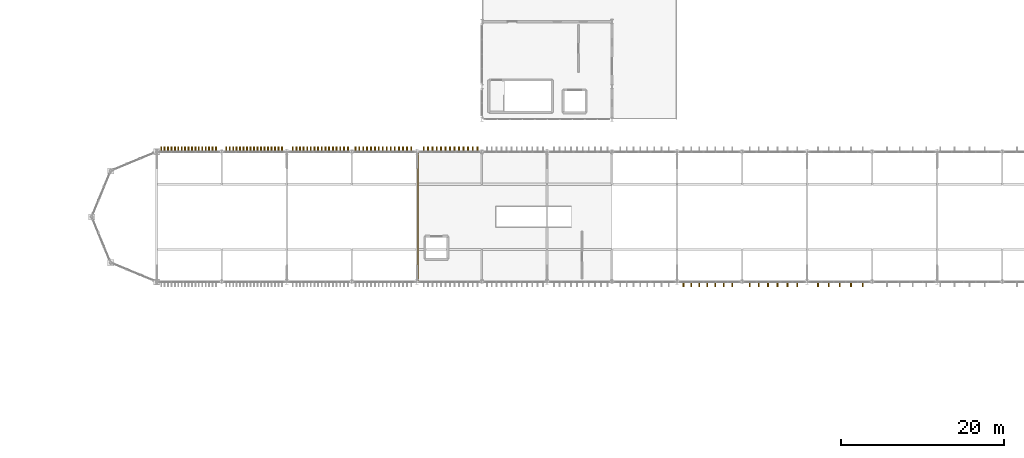
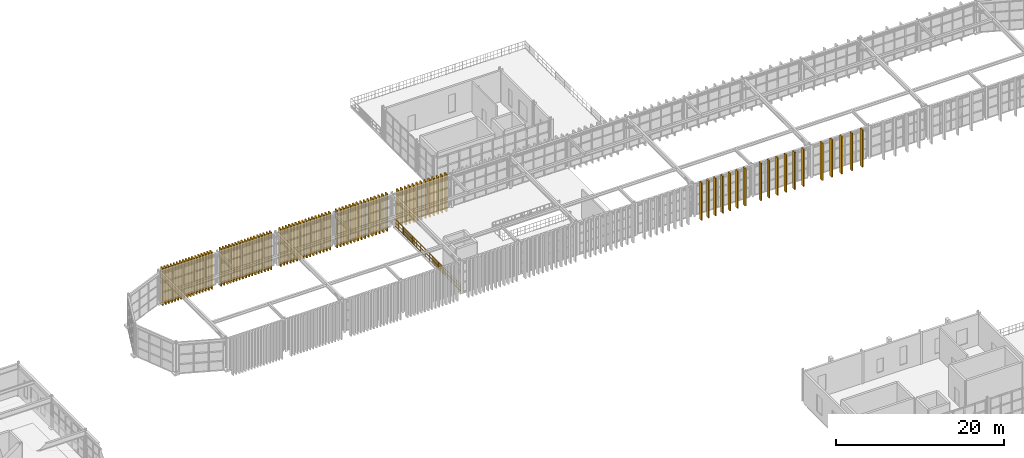
# One storey, part 57 of 61: 96 coverings, 1 railing.
"""IFC4 building model written with IfcOpenShell, lengths in metres."""

from ifc_helpers import new_model, si_unit, direction, frame, origin, origin_2d, place, context, subcontext, project, spatial, rectangle, extrude, material, layer, layer_set, type_object, element, save


model = new_model("IFC4")

# Units and contexts
model_context = context("Model", 3, precision=1e-05, world=origin(), true_north=direction((0.0, 1.0)))
body_context = subcontext(model_context, "Body", "Model", "MODEL_VIEW")
ifc_project = project(units=[si_unit("LENGTHUNIT", "METRE"), si_unit("AREAUNIT", "SQUARE_METRE"), si_unit("VOLUMEUNIT", "CUBIC_METRE"), si_unit("PLANEANGLEUNIT", "RADIAN"), si_unit("MASSUNIT", "GRAM", prefix="KILO")], contexts=[model_context])

# Site, building, storey
site_placement = place(None, origin())
site = spatial("IfcSite", under=ifc_project, at=site_placement, CompositionType="ELEMENT")
building_placement = place(site_placement, origin())
building = spatial("IfcBuilding", under=site, at=building_placement, Name="Serraluz Foothill Cableway Terminal", CompositionType="ELEMENT")
storey_placement = place(building_placement, frame((0.0, 0.0, 15.0)))
storey = spatial("IfcBuildingStorey", under=building, at=storey_placement, Name="L03", CompositionType="ELEMENT", Elevation=15.0)

# Coverings
ifc_material_1 = material(Name="Architectural bronze alloy C28000", Category="aluminium")
ifc_layer_1 = layer(ifc_material_1, 0.159912109375, Name="Architectural bronze alloy C28000", Category="aluminium")
ifc_layer_set_1 = layer_set([ifc_layer_1], Name="Architectural bronze alloy C28000")
covering_type = type_object("IfcCoveringType", Name="TYP-COV-SLAT-480", PredefinedType="CLADDING", material=ifc_layer_set_1)
for number, where, z_axis, x_axis, name in (
    (1, (104.8115234375, 55.639892578125, -0.64990234375), (0.0, 0.0, 1.0), (1.0, 0.0, 0.0), "Graduated Upper Vertical Facade Slat S-0109"),
    (2, (105.75830078125, 55.639892578125, -0.64990234375), (0.0, 0.0, 1.0), (1.0, 0.0, 0.0), "Graduated Upper Vertical Facade Slat S-0110"),
    (3, (106.723876953125, 55.639892578125, -0.64990234375), (0.0, 0.0, 1.0), (1.0, 0.0, 0.0), "Graduated Upper Vertical Facade Slat S-0111"),
    (4, (107.708251953125, 55.639892578125, -0.64990234375), (0.0, 0.0, 1.0), (1.0, 0.0, 0.0), "Graduated Upper Vertical Facade Slat S-0112"),
    (5, (108.712646484375, 55.639892578125, -0.64990234375), (0.0, 0.0, 1.0), (1.0, 0.0, 0.0), "Graduated Upper Vertical Facade Slat S-0113"),
    (6, (109.73779296875, 55.639892578125, -0.64990234375), (0.0, 0.0, 1.0), (1.0, 0.0, 0.0), "Graduated Upper Vertical Facade Slat S-0114"),
    (7, (110.784423828125, 55.639892578125, -0.64990234375), (0.0, 0.0, 1.0), (1.0, 0.0, 0.0), "Graduated Upper Vertical Facade Slat S-0115"),
    (8, (112.9462890625, 55.639892578125, -0.64990234375), (0.0, 0.0, 1.0), (1.0, 0.0, 0.0), "Graduated Upper Vertical Facade Slat S-0116"),
    (9, (114.063232421875, 55.639892578125, -0.64990234375), (0.0, 0.0, 1.0), (1.0, 0.0, 0.0), "Graduated Upper Vertical Facade Slat S-0117"),
    (10, (115.205810546875, 55.639892578125, -0.64990234375), (0.0, 0.0, 1.0), (1.0, 0.0, 0.0), "Graduated Upper Vertical Facade Slat S-0118"),
    (11, (116.375, 55.639892578125, -0.64990234375), (0.0, 0.0, 1.0), (1.0, 0.0, 0.0), "Graduated Upper Vertical Facade Slat S-0119"),
    (12, (117.572265625, 55.639892578125, -0.64990234375), (0.0, 0.0, 1.0), (1.0, 0.0, 0.0), "Graduated Upper Vertical Facade Slat S-0120"),
    (13, (118.79833984375, 55.639892578125, -0.64990234375), (0.0, 0.0, 1.0), (1.0, 0.0, 0.0), "Graduated Upper Vertical Facade Slat S-0121"),
    (14, (121.34375, 55.639892578125, -0.64990234375), (0.0, 0.0, 1.0), (1.0, 0.0, 0.0), "Graduated Upper Vertical Facade Slat S-0122"),
    (15, (122.665771484375, 55.639892578125, -0.64990234375), (0.0, 0.0, 1.0), (1.0, 0.0, 0.0), "Graduated Upper Vertical Facade Slat S-0123"),
    (16, (124.022705078125, 55.639892578125, -0.64990234375), (0.0, 0.0, 1.0), (1.0, 0.0, 0.0), "Graduated Upper Vertical Facade Slat S-0124"),
    (17, (125.41650390625, 55.639892578125, -0.64990234375), (0.0, 0.0, 1.0), (1.0, 0.0, 0.0), "Graduated Upper Vertical Facade Slat S-0125"),
    (18, (126.84912109375, 55.639892578125, -0.64990234375), (0.0, 0.0, 1.0), (1.0, 0.0, 0.0), "Graduated Upper Vertical Facade Slat S-0126"),
    (19, (40.550048828125, 72.360107421875, -0.64990234375), (0.0, 0.0, 1.0), (1.0, 0.0, 0.0), "Graduated Upper Vertical Facade Slat N-0138"),
    (20, (40.969970703125, 72.360107421875, -0.64990234375), (0.0, 0.0, 1.0), (1.0, 0.0, 0.0), "Graduated Upper Vertical Facade Slat N-0139"),
    (21, (41.389892578125, 72.360107421875, -0.64990234375), (0.0, 0.0, 1.0), (1.0, 0.0, 0.0), "Graduated Upper Vertical Facade Slat N-0140"),
    (22, (41.81005859375, 72.360107421875, -0.64990234375), (0.0, 0.0, 1.0), (1.0, 0.0, 0.0), "Graduated Upper Vertical Facade Slat N-0141"),
    (23, (42.22998046875, 72.360107421875, -0.64990234375), (0.0, 0.0, 1.0), (1.0, 0.0, 0.0), "Graduated Upper Vertical Facade Slat N-0142"),
    (24, (42.650146484375, 72.360107421875, -0.64990234375), (0.0, 0.0, 1.0), (1.0, 0.0, 0.0), "Graduated Upper Vertical Facade Slat N-0143"),
    (25, (43.0703125, 72.360107421875, -0.64990234375), (0.0, 0.0, 1.0), (1.0, 0.0, 0.0), "Graduated Upper Vertical Facade Slat N-0144"),
    (26, (43.490478515625, 72.360107421875, -0.64990234375), (0.0, 0.0, 1.0), (1.0, 0.0, 0.0), "Graduated Upper Vertical Facade Slat N-0145"),
    (27, (43.910888671875, 72.360107421875, -0.64990234375), (0.0, 0.0, 1.0), (1.0, 0.0, 0.0), "Graduated Upper Vertical Facade Slat N-0146"),
    (28, (44.33154296875, 72.360107421875, -0.64990234375), (0.0, 0.0, 1.0), (1.0, 0.0, 0.0), "Graduated Upper Vertical Facade Slat N-0147"),
    (29, (44.752197265625, 72.360107421875, -0.64990234375), (0.0, 0.0, 1.0), (1.0, 0.0, 0.0), "Graduated Upper Vertical Facade Slat N-0148"),
    (30, (45.173095703125, 72.360107421875, -0.64990234375), (0.0, 0.0, 1.0), (1.0, 0.0, 0.0), "Graduated Upper Vertical Facade Slat N-0149"),
    (31, (45.59423828125, 72.360107421875, -0.64990234375), (0.0, 0.0, 1.0), (1.0, 0.0, 0.0), "Graduated Upper Vertical Facade Slat N-0150"),
    (32, (46.015625, 72.360107421875, -0.64990234375), (0.0, 0.0, 1.0), (1.0, 0.0, 0.0), "Graduated Upper Vertical Facade Slat N-0151"),
    (33, (46.437255859375, 72.360107421875, -0.64990234375), (0.0, 0.0, 1.0), (1.0, 0.0, 0.0), "Graduated Upper Vertical Facade Slat N-0152"),
    (34, (46.859130859375, 72.360107421875, -0.64990234375), (0.0, 0.0, 1.0), (1.0, 0.0, 0.0), "Graduated Upper Vertical Facade Slat N-0153"),
    (35, (47.281494140625, 72.360107421875, -0.64990234375), (0.0, 0.0, 1.0), (1.0, 0.0, 0.0), "Graduated Upper Vertical Facade Slat N-0154"),
    (36, (48.55078125, 72.360107421875, -0.64990234375), (0.0, 0.0, 1.0), (1.0, 0.0, 0.0), "Graduated Upper Vertical Facade Slat N-0155"),
    (37, (48.974609375, 72.360107421875, -0.64990234375), (0.0, 0.0, 1.0), (1.0, 0.0, 0.0), "Graduated Upper Vertical Facade Slat N-0156"),
    (38, (49.399169921875, 72.360107421875, -0.64990234375), (0.0, 0.0, 1.0), (1.0, 0.0, 0.0), "Graduated Upper Vertical Facade Slat N-0157"),
    (39, (49.82421875, 72.360107421875, -0.64990234375), (0.0, 0.0, 1.0), (1.0, 0.0, 0.0), "Graduated Upper Vertical Facade Slat N-0158"),
    (40, (50.25, 72.360107421875, -0.64990234375), (0.0, 0.0, 1.0), (1.0, 0.0, 0.0), "Graduated Upper Vertical Facade Slat N-0159"),
    (41, (50.67626953125, 72.360107421875, -0.64990234375), (0.0, 0.0, 1.0), (1.0, 0.0, 0.0), "Graduated Upper Vertical Facade Slat N-0160"),
    (42, (51.10302734375, 72.360107421875, -0.64990234375), (0.0, 0.0, 1.0), (1.0, 0.0, 0.0), "Graduated Upper Vertical Facade Slat N-0161"),
    (43, (51.53076171875, 72.360107421875, -0.64990234375), (0.0, 0.0, 1.0), (1.0, 0.0, 0.0), "Graduated Upper Vertical Facade Slat N-0162"),
    (44, (51.958984375, 72.360107421875, -0.64990234375), (0.0, 0.0, 1.0), (1.0, 0.0, 0.0), "Graduated Upper Vertical Facade Slat N-0163"),
    (45, (52.38818359375, 72.360107421875, -0.64990234375), (0.0, 0.0, 1.0), (1.0, 0.0, 0.0), "Graduated Upper Vertical Facade Slat N-0164"),
    (46, (52.818115234375, 72.360107421875, -0.64990234375), (0.0, 0.0, 1.0), (1.0, 0.0, 0.0), "Graduated Upper Vertical Facade Slat N-0165"),
    (47, (53.2490234375, 72.360107421875, -0.64990234375), (0.0, 0.0, 1.0), (1.0, 0.0, 0.0), "Graduated Upper Vertical Facade Slat N-0166"),
    (48, (53.680908203125, 72.360107421875, -0.64990234375), (0.0, 0.0, 1.0), (1.0, 0.0, 0.0), "Graduated Upper Vertical Facade Slat N-0167"),
    (49, (54.113525390625, 72.360107421875, -0.64990234375), (0.0, 0.0, 1.0), (1.0, 0.0, 0.0), "Graduated Upper Vertical Facade Slat N-0168"),
    (50, (54.547119140625, 72.360107421875, -0.64990234375), (0.0, 0.0, 1.0), (1.0, 0.0, 0.0), "Graduated Upper Vertical Facade Slat N-0169"),
    (51, (54.98193359375, 72.360107421875, -0.64990234375), (0.0, 0.0, 1.0), (1.0, 0.0, 0.0), "Graduated Upper Vertical Facade Slat N-0170"),
    (52, (55.417724609375, 72.360107421875, -0.64990234375), (0.0, 0.0, 1.0), (1.0, 0.0, 0.0), "Graduated Upper Vertical Facade Slat N-0171"),
    (53, (56.732421875, 72.360107421875, -0.64990234375), (0.0, 0.0, 1.0), (1.0, 0.0, 0.0), "Graduated Upper Vertical Facade Slat N-0172"),
    (54, (57.173095703125, 72.360107421875, -0.64990234375), (0.0, 0.0, 1.0), (1.0, 0.0, 0.0), "Graduated Upper Vertical Facade Slat N-0173"),
    (55, (57.615234375, 72.360107421875, -0.64990234375), (0.0, 0.0, 1.0), (1.0, 0.0, 0.0), "Graduated Upper Vertical Facade Slat N-0174"),
    (56, (58.058837890625, 72.360107421875, -0.64990234375), (0.0, 0.0, 1.0), (1.0, 0.0, 0.0), "Graduated Upper Vertical Facade Slat N-0175"),
    (57, (58.503662109375, 72.360107421875, -0.64990234375), (0.0, 0.0, 1.0), (1.0, 0.0, 0.0), "Graduated Upper Vertical Facade Slat N-0176"),
    (58, (58.9501953125, 72.360107421875, -0.64990234375), (0.0, 0.0, 1.0), (1.0, 0.0, 0.0), "Graduated Upper Vertical Facade Slat N-0177"),
    (59, (59.398193359375, 72.360107421875, -0.64990234375), (0.0, 0.0, 1.0), (1.0, 0.0, 0.0), "Graduated Upper Vertical Facade Slat N-0178"),
    (60, (59.847900390625, 72.360107421875, -0.64990234375), (0.0, 0.0, 1.0), (1.0, 0.0, 0.0), "Graduated Upper Vertical Facade Slat N-0179"),
    (61, (60.299072265625, 72.360107421875, -0.64990234375), (0.0, 0.0, 1.0), (1.0, 0.0, 0.0), "Graduated Upper Vertical Facade Slat N-0180"),
    (62, (60.752197265625, 72.360107421875, -0.64990234375), (0.0, 0.0, 1.0), (1.0, 0.0, 0.0), "Graduated Upper Vertical Facade Slat N-0181"),
    (63, (61.20703125, 72.360107421875, -0.64990234375), (0.0, 0.0, 1.0), (1.0, 0.0, 0.0), "Graduated Upper Vertical Facade Slat N-0182"),
    (64, (61.663818359375, 72.360107421875, -0.64990234375), (0.0, 0.0, 1.0), (1.0, 0.0, 0.0), "Graduated Upper Vertical Facade Slat N-0183"),
    (65, (62.12255859375, 72.360107421875, -0.64990234375), (0.0, 0.0, 1.0), (1.0, 0.0, 0.0), "Graduated Upper Vertical Facade Slat N-0184"),
    (66, (62.5830078125, 72.360107421875, -0.64990234375), (0.0, 0.0, 1.0), (1.0, 0.0, 0.0), "Graduated Upper Vertical Facade Slat N-0185"),
    (67, (63.0458984375, 72.360107421875, -0.64990234375), (0.0, 0.0, 1.0), (1.0, 0.0, 0.0), "Graduated Upper Vertical Facade Slat N-0186"),
    (68, (63.5107421875, 72.360107421875, -0.64990234375), (0.0, 0.0, 1.0), (1.0, 0.0, 0.0), "Graduated Upper Vertical Facade Slat N-0187"),
    (69, (64.447265625, 72.360107421875, -0.64990234375), (0.0, 0.0, 1.0), (1.0, 0.0, 0.0), "Graduated Upper Vertical Facade Slat N-0188"),
    (70, (64.9189453125, 72.360107421875, -0.64990234375), (0.0, 0.0, 1.0), (1.0, 0.0, 0.0), "Graduated Upper Vertical Facade Slat N-0189"),
    (71, (65.39306640625, 72.360107421875, -0.64990234375), (0.0, 0.0, 1.0), (1.0, 0.0, 0.0), "Graduated Upper Vertical Facade Slat N-0190"),
    (72, (65.86962890625, 72.360107421875, -0.64990234375), (0.0, 0.0, 1.0), (1.0, 0.0, 0.0), "Graduated Upper Vertical Facade Slat N-0191"),
    (73, (66.348876953125, 72.360107421875, -0.64990234375), (0.0, 0.0, 1.0), (1.0, 0.0, 0.0), "Graduated Upper Vertical Facade Slat N-0192"),
    (74, (66.830810546875, 72.360107421875, -0.64990234375), (0.0, 0.0, 1.0), (1.0, 0.0, 0.0), "Graduated Upper Vertical Facade Slat N-0193"),
    (75, (67.315185546875, 72.360107421875, -0.64990234375), (0.0, 0.0, 1.0), (1.0, 0.0, 0.0), "Graduated Upper Vertical Facade Slat N-0194"),
    (76, (67.802734375, 72.360107421875, -0.64990234375), (0.0, 0.0, 1.0), (1.0, 0.0, 0.0), "Graduated Upper Vertical Facade Slat N-0195"),
    (77, (68.293212890625, 72.360107421875, -0.64990234375), (0.0, 0.0, 1.0), (1.0, 0.0, 0.0), "Graduated Upper Vertical Facade Slat N-0196"),
    (78, (68.78662109375, 72.360107421875, -0.64990234375), (0.0, 0.0, 1.0), (1.0, 0.0, 0.0), "Graduated Upper Vertical Facade Slat N-0197"),
    (79, (69.282958984375, 72.360107421875, -0.64990234375), (0.0, 0.0, 1.0), (1.0, 0.0, 0.0), "Graduated Upper Vertical Facade Slat N-0198"),
    (80, (69.78271484375, 72.360107421875, -0.64990234375), (0.0, 0.0, 1.0), (1.0, 0.0, 0.0), "Graduated Upper Vertical Facade Slat N-0199"),
    (81, (70.285400390625, 72.360107421875, -0.64990234375), (0.0, 0.0, 1.0), (1.0, 0.0, 0.0), "Graduated Upper Vertical Facade Slat N-0200"),
    (82, (70.7919921875, 72.360107421875, -0.64990234375), (0.0, 0.0, 1.0), (1.0, 0.0, 0.0), "Graduated Upper Vertical Facade Slat N-0201"),
    (83, (71.3017578125, 72.360107421875, -0.64990234375), (0.0, 0.0, 1.0), (1.0, 0.0, 0.0), "Graduated Upper Vertical Facade Slat N-0202"),
    (84, (72.85302734375, 72.360107421875, -0.64990234375), (0.0, 0.0, 1.0), (1.0, 0.0, 0.0), "Graduated Upper Vertical Facade Slat N-0203"),
    (85, (73.3779296875, 72.360107421875, -0.64990234375), (0.0, 0.0, 1.0), (1.0, 0.0, 0.0), "Graduated Upper Vertical Facade Slat N-0204"),
    (86, (73.906982421875, 72.360107421875, -0.64990234375), (0.0, 0.0, 1.0), (1.0, 0.0, 0.0), "Graduated Upper Vertical Facade Slat N-0205"),
    (87, (74.43994140625, 72.360107421875, -0.64990234375), (0.0, 0.0, 1.0), (1.0, 0.0, 0.0), "Graduated Upper Vertical Facade Slat N-0206"),
    (88, (74.977294921875, 72.360107421875, -0.64990234375), (0.0, 0.0, 1.0), (1.0, 0.0, 0.0), "Graduated Upper Vertical Facade Slat N-0207"),
    (89, (75.51904296875, 72.360107421875, -0.64990234375), (0.0, 0.0, 1.0), (1.0, 0.0, 0.0), "Graduated Upper Vertical Facade Slat N-0208"),
    (90, (76.065185546875, 72.360107421875, -0.64990234375), (0.0, 0.0, 1.0), (1.0, 0.0, 0.0), "Graduated Upper Vertical Facade Slat N-0209"),
    (91, (76.6162109375, 72.360107421875, -0.64990234375), (0.0, 0.0, 1.0), (1.0, 0.0, 0.0), "Graduated Upper Vertical Facade Slat N-0210"),
    (92, (77.172119140625, 72.360107421875, -0.64990234375), (0.0, 0.0, 1.0), (1.0, 0.0, 0.0), "Graduated Upper Vertical Facade Slat N-0211"),
    (93, (77.73291015625, 72.360107421875, -0.64990234375), (0.0, 0.0, 1.0), (1.0, 0.0, 0.0), "Graduated Upper Vertical Facade Slat N-0212"),
    (94, (78.298583984375, 72.360107421875, -0.64990234375), (0.0, 0.0, 1.0), (1.0, 0.0, 0.0), "Graduated Upper Vertical Facade Slat N-0213"),
    (95, (78.86962890625, 72.360107421875, -0.64990234375), (0.0, 0.0, 1.0), (1.0, 0.0, 0.0), "Graduated Upper Vertical Facade Slat N-0214"),
    (96, (79.4462890625, 72.360107421875, -0.64990234375), (0.0, 0.0, 1.0), (1.0, 0.0, 0.0), "Graduated Upper Vertical Facade Slat N-0215"),
):
    element("IfcCovering", number, at=place(storey_placement, frame(where, z_axis=z_axis, x_axis=x_axis)), inside=storey, type_object=covering_type, Name=name, PredefinedType="CLADDING", context=body_context, shape_type="SweptSolid", body=[
        extrude(rectangle(XDim=0.159912109375, YDim=0.47998046875, at=origin_2d()), origin(), (0.0, 0.0, 1.0), 5.419921875),
    ])

# Railing
ifc_material_2 = material(Name="Steel ASTM A572 Grade 50", Category="steel")
ifc_layer_2 = layer(ifc_material_2, 0.054931640625, Name="Steel ASTM A572 Grade 50", Category="steel")
ifc_layer_set_2 = layer_set([ifc_layer_2], Name="Steel ASTM A572 Grade 50")
railing_type = type_object("IfcRailingType", Name="TYP-RL-GRD-1150", PredefinedType="GUARDRAIL", material=ifc_layer_set_2)
railing_placement = place(storey_placement, frame((72.1201171875, 56.14990234375, 0.0)))
element("IfcRailing", 97, at=railing_placement, inside=storey, type_object=railing_type, Name="GUARDRAIL GRD-L03-V1W", PredefinedType="GUARDRAIL", context=body_context, shape_type="SweptSolid", body=[
    extrude(rectangle(XDim=0.048095703125, YDim=0.048095703125, at=origin_2d()), frame((0.0, 0.0, 1.1259765625), z_axis=(0.0, 1.0, 0.0), x_axis=(-1.0, 0.0, 0.0)), (0.0, 0.0, 1.0), 15.7001953125),
    extrude(rectangle(XDim=0.048095703125, YDim=0.048095703125, at=origin_2d()), frame((0.0, 0.0, 0.597900390625), z_axis=(0.0, 1.0, 0.0), x_axis=(-1.0, 0.0, 0.0)), (0.0, 0.0, 1.0), 15.7001953125),
    extrude(rectangle(XDim=0.048095703125, YDim=0.048095703125, at=origin_2d()), frame((0.0, 0.0, 0.1201171875), z_axis=(0.0, 1.0, 0.0), x_axis=(-1.0, 0.0, 0.0)), (0.0, 0.0, 1.0), 15.7001953125),
    extrude(rectangle(XDim=0.02001953125, YDim=0.02001953125, at=origin_2d()), frame((0.0, 0.241455078125, 0.1201171875)), (0.0, 0.0, 1.0), 0.981689453125),
    extrude(rectangle(XDim=0.02001953125, YDim=0.02001953125, at=origin_2d()), frame((0.0, 0.483154296875, 0.1201171875)), (0.0, 0.0, 1.0), 0.981689453125),
    extrude(rectangle(XDim=0.02001953125, YDim=0.02001953125, at=origin_2d()), frame((0.0, 0.724609375, 0.1201171875)), (0.0, 0.0, 1.0), 0.981689453125),
    extrude(rectangle(XDim=0.02001953125, YDim=0.02001953125, at=origin_2d()), frame((0.0, 0.966064453125, 0.1201171875)), (0.0, 0.0, 1.0), 0.981689453125),
    extrude(rectangle(XDim=0.02001953125, YDim=0.02001953125, at=origin_2d()), frame((0.0, 1.207763671875, 0.1201171875)), (0.0, 0.0, 1.0), 0.981689453125),
    extrude(rectangle(XDim=0.02001953125, YDim=0.02001953125, at=origin_2d()), frame((0.0, 1.44921875, 0.1201171875)), (0.0, 0.0, 1.0), 0.981689453125),
    extrude(rectangle(XDim=0.02001953125, YDim=0.02001953125, at=origin_2d()), frame((0.0, 1.690673828125, 0.1201171875)), (0.0, 0.0, 1.0), 0.981689453125),
    extrude(rectangle(XDim=0.02001953125, YDim=0.02001953125, at=origin_2d()), frame((0.0, 1.932373046875, 0.1201171875)), (0.0, 0.0, 1.0), 0.981689453125),
    extrude(rectangle(XDim=0.02001953125, YDim=0.02001953125, at=origin_2d()), frame((0.0, 2.173828125, 0.1201171875)), (0.0, 0.0, 1.0), 0.981689453125),
    extrude(rectangle(XDim=0.02001953125, YDim=0.02001953125, at=origin_2d()), frame((0.0, 2.41552734375, 0.1201171875)), (0.0, 0.0, 1.0), 0.981689453125),
    extrude(rectangle(XDim=0.02001953125, YDim=0.02001953125, at=origin_2d()), frame((0.0, 2.656982421875, 0.1201171875)), (0.0, 0.0, 1.0), 0.981689453125),
    extrude(rectangle(XDim=0.02001953125, YDim=0.02001953125, at=origin_2d()), frame((0.0, 2.8984375, 0.1201171875)), (0.0, 0.0, 1.0), 0.981689453125),
    extrude(rectangle(XDim=0.02001953125, YDim=0.02001953125, at=origin_2d()), frame((0.0, 3.381591796875, 0.1201171875)), (0.0, 0.0, 1.0), 0.981689453125),
    extrude(rectangle(XDim=0.02001953125, YDim=0.02001953125, at=origin_2d()), frame((0.0, 3.623046875, 0.1201171875)), (0.0, 0.0, 1.0), 0.981689453125),
    extrude(rectangle(XDim=0.02001953125, YDim=0.02001953125, at=origin_2d()), frame((0.0, 3.86474609375, 0.1201171875)), (0.0, 0.0, 1.0), 0.981689453125),
    extrude(rectangle(XDim=0.02001953125, YDim=0.02001953125, at=origin_2d()), frame((0.0, 4.106201171875, 0.1201171875)), (0.0, 0.0, 1.0), 0.981689453125),
    extrude(rectangle(XDim=0.02001953125, YDim=0.02001953125, at=origin_2d()), frame((0.0, 4.34765625, 0.1201171875)), (0.0, 0.0, 1.0), 0.981689453125),
    extrude(rectangle(XDim=0.02001953125, YDim=0.02001953125, at=origin_2d()), frame((0.0, 4.58935546875, 0.1201171875)), (0.0, 0.0, 1.0), 0.981689453125),
    extrude(rectangle(XDim=0.02001953125, YDim=0.02001953125, at=origin_2d()), frame((0.0, 4.830810546875, 0.1201171875)), (0.0, 0.0, 1.0), 0.981689453125),
    extrude(rectangle(XDim=0.02001953125, YDim=0.02001953125, at=origin_2d()), frame((0.0, 5.072265625, 0.1201171875)), (0.0, 0.0, 1.0), 0.981689453125),
    extrude(rectangle(XDim=0.02001953125, YDim=0.02001953125, at=origin_2d()), frame((0.0, 5.31396484375, 0.1201171875)), (0.0, 0.0, 1.0), 0.981689453125),
    extrude(rectangle(XDim=0.02001953125, YDim=0.02001953125, at=origin_2d()), frame((0.0, 5.555419921875, 0.1201171875)), (0.0, 0.0, 1.0), 0.981689453125),
    extrude(rectangle(XDim=0.02001953125, YDim=0.02001953125, at=origin_2d()), frame((0.0, 5.796875, 0.1201171875)), (0.0, 0.0, 1.0), 0.981689453125),
    extrude(rectangle(XDim=0.02001953125, YDim=0.02001953125, at=origin_2d()), frame((0.0, 6.03857421875, 0.1201171875)), (0.0, 0.0, 1.0), 0.981689453125),
    extrude(rectangle(XDim=0.02001953125, YDim=0.02001953125, at=origin_2d()), frame((0.0, 6.521728515625, 0.1201171875)), (0.0, 0.0, 1.0), 0.981689453125),
    extrude(rectangle(XDim=0.02001953125, YDim=0.02001953125, at=origin_2d()), frame((0.0, 6.76318359375, 0.1201171875)), (0.0, 0.0, 1.0), 0.981689453125),
    extrude(rectangle(XDim=0.02001953125, YDim=0.02001953125, at=origin_2d()), frame((0.0, 7.004638671875, 0.1201171875)), (0.0, 0.0, 1.0), 0.981689453125),
    extrude(rectangle(XDim=0.02001953125, YDim=0.02001953125, at=origin_2d()), frame((0.0, 7.246337890625, 0.1201171875)), (0.0, 0.0, 1.0), 0.981689453125),
    extrude(rectangle(XDim=0.02001953125, YDim=0.02001953125, at=origin_2d()), frame((0.0, 7.48779296875, 0.1201171875)), (0.0, 0.0, 1.0), 0.981689453125),
    extrude(rectangle(XDim=0.02001953125, YDim=0.02001953125, at=origin_2d()), frame((0.0, 7.729248046875, 0.1201171875)), (0.0, 0.0, 1.0), 0.981689453125),
    extrude(rectangle(XDim=0.02001953125, YDim=0.02001953125, at=origin_2d()), frame((0.0, 7.970947265625, 0.1201171875)), (0.0, 0.0, 1.0), 0.981689453125),
    extrude(rectangle(XDim=0.02001953125, YDim=0.02001953125, at=origin_2d()), frame((0.0, 8.21240234375, 0.1201171875)), (0.0, 0.0, 1.0), 0.981689453125),
    extrude(rectangle(XDim=0.02001953125, YDim=0.02001953125, at=origin_2d()), frame((0.0, 8.453857421875, 0.1201171875)), (0.0, 0.0, 1.0), 0.981689453125),
    extrude(rectangle(XDim=0.02001953125, YDim=0.02001953125, at=origin_2d()), frame((0.0, 8.695556640625, 0.1201171875)), (0.0, 0.0, 1.0), 0.981689453125),
    extrude(rectangle(XDim=0.02001953125, YDim=0.02001953125, at=origin_2d()), frame((0.0, 8.93701171875, 0.1201171875)), (0.0, 0.0, 1.0), 0.981689453125),
    extrude(rectangle(XDim=0.02001953125, YDim=0.02001953125, at=origin_2d()), frame((0.0, 9.178466796875, 0.1201171875)), (0.0, 0.0, 1.0), 0.981689453125),
    extrude(rectangle(XDim=0.02001953125, YDim=0.02001953125, at=origin_2d()), frame((0.0, 9.66162109375, 0.1201171875)), (0.0, 0.0, 1.0), 0.981689453125),
    extrude(rectangle(XDim=0.02001953125, YDim=0.02001953125, at=origin_2d()), frame((0.0, 9.9033203125, 0.1201171875)), (0.0, 0.0, 1.0), 0.981689453125),
    extrude(rectangle(XDim=0.02001953125, YDim=0.02001953125, at=origin_2d()), frame((0.0, 10.144775390625, 0.1201171875)), (0.0, 0.0, 1.0), 0.981689453125),
    extrude(rectangle(XDim=0.02001953125, YDim=0.02001953125, at=origin_2d()), frame((0.0, 10.38623046875, 0.1201171875)), (0.0, 0.0, 1.0), 0.981689453125),
    extrude(rectangle(XDim=0.02001953125, YDim=0.02001953125, at=origin_2d()), frame((0.0, 10.6279296875, 0.1201171875)), (0.0, 0.0, 1.0), 0.981689453125),
    extrude(rectangle(XDim=0.02001953125, YDim=0.02001953125, at=origin_2d()), frame((0.0, 10.869384765625, 0.1201171875)), (0.0, 0.0, 1.0), 0.981689453125),
    extrude(rectangle(XDim=0.02001953125, YDim=0.02001953125, at=origin_2d()), frame((0.0, 11.11083984375, 0.1201171875)), (0.0, 0.0, 1.0), 0.981689453125),
    extrude(rectangle(XDim=0.02001953125, YDim=0.02001953125, at=origin_2d()), frame((0.0, 11.3525390625, 0.1201171875)), (0.0, 0.0, 1.0), 0.981689453125),
    extrude(rectangle(XDim=0.02001953125, YDim=0.02001953125, at=origin_2d()), frame((0.0, 11.593994140625, 0.1201171875)), (0.0, 0.0, 1.0), 0.981689453125),
    extrude(rectangle(XDim=0.02001953125, YDim=0.02001953125, at=origin_2d()), frame((0.0, 11.83544921875, 0.1201171875)), (0.0, 0.0, 1.0), 0.981689453125),
    extrude(rectangle(XDim=0.02001953125, YDim=0.02001953125, at=origin_2d()), frame((0.0, 12.0771484375, 0.1201171875)), (0.0, 0.0, 1.0), 0.981689453125),
    extrude(rectangle(XDim=0.02001953125, YDim=0.02001953125, at=origin_2d()), frame((0.0, 12.318603515625, 0.1201171875)), (0.0, 0.0, 1.0), 0.981689453125),
    extrude(rectangle(XDim=0.02001953125, YDim=0.02001953125, at=origin_2d()), frame((0.0, 12.8017578125, 0.1201171875)), (0.0, 0.0, 1.0), 0.981689453125),
    extrude(rectangle(XDim=0.02001953125, YDim=0.02001953125, at=origin_2d()), frame((0.0, 13.043212890625, 0.1201171875)), (0.0, 0.0, 1.0), 0.981689453125),
    extrude(rectangle(XDim=0.02001953125, YDim=0.02001953125, at=origin_2d()), frame((0.0, 13.28466796875, 0.1201171875)), (0.0, 0.0, 1.0), 0.981689453125),
    extrude(rectangle(XDim=0.02001953125, YDim=0.02001953125, at=origin_2d()), frame((0.0, 13.5263671875, 0.1201171875)), (0.0, 0.0, 1.0), 0.981689453125),
    extrude(rectangle(XDim=0.02001953125, YDim=0.02001953125, at=origin_2d()), frame((0.0, 13.767822265625, 0.1201171875)), (0.0, 0.0, 1.0), 0.981689453125),
    extrude(rectangle(XDim=0.02001953125, YDim=0.02001953125, at=origin_2d()), frame((0.0, 14.009521484375, 0.1201171875)), (0.0, 0.0, 1.0), 0.981689453125),
    extrude(rectangle(XDim=0.02001953125, YDim=0.02001953125, at=origin_2d()), frame((0.0, 14.2509765625, 0.1201171875)), (0.0, 0.0, 1.0), 0.981689453125),
    extrude(rectangle(XDim=0.02001953125, YDim=0.02001953125, at=origin_2d()), frame((0.0, 14.492431640625, 0.1201171875)), (0.0, 0.0, 1.0), 0.981689453125),
    extrude(rectangle(XDim=0.02001953125, YDim=0.02001953125, at=origin_2d()), frame((0.0, 14.734130859375, 0.1201171875)), (0.0, 0.0, 1.0), 0.981689453125),
    extrude(rectangle(XDim=0.02001953125, YDim=0.02001953125, at=origin_2d()), frame((0.0, 14.9755859375, 0.1201171875)), (0.0, 0.0, 1.0), 0.981689453125),
    extrude(rectangle(XDim=0.02001953125, YDim=0.02001953125, at=origin_2d()), frame((0.0, 15.217041015625, 0.1201171875)), (0.0, 0.0, 1.0), 0.981689453125),
    extrude(rectangle(XDim=0.02001953125, YDim=0.02001953125, at=origin_2d()), frame((0.0, 15.458740234375, 0.1201171875)), (0.0, 0.0, 1.0), 0.981689453125),
    extrude(rectangle(XDim=0.0439453125, YDim=0.0439453125, at=origin_2d()), origin(), (0.0, 0.0, 1.0), 1.101806640625),
    extrude(rectangle(XDim=0.0439453125, YDim=0.0439453125, at=origin_2d()), frame((0.0, 1.046630859375, 0.0)), (0.0, 0.0, 1.0), 1.101806640625),
    extrude(rectangle(XDim=0.0439453125, YDim=0.0439453125, at=origin_2d()), frame((0.0, 2.09326171875, 0.0)), (0.0, 0.0, 1.0), 1.101806640625),
    extrude(rectangle(XDim=0.0439453125, YDim=0.0439453125, at=origin_2d()), frame((0.0, 3.14013671875, 0.0)), (0.0, 0.0, 1.0), 1.101806640625),
    extrude(rectangle(XDim=0.0439453125, YDim=0.0439453125, at=origin_2d()), frame((0.0, 4.186767578125, 0.0)), (0.0, 0.0, 1.0), 1.101806640625),
    extrude(rectangle(XDim=0.0439453125, YDim=0.0439453125, at=origin_2d()), frame((0.0, 5.2333984375, 0.0)), (0.0, 0.0, 1.0), 1.101806640625),
    extrude(rectangle(XDim=0.0439453125, YDim=0.0439453125, at=origin_2d()), frame((0.0, 6.280029296875, 0.0)), (0.0, 0.0, 1.0), 1.101806640625),
    extrude(rectangle(XDim=0.0439453125, YDim=0.0439453125, at=origin_2d()), frame((0.0, 7.32666015625, 0.0)), (0.0, 0.0, 1.0), 1.101806640625),
    extrude(rectangle(XDim=0.0439453125, YDim=0.0439453125, at=origin_2d()), frame((0.0, 8.37353515625, 0.0)), (0.0, 0.0, 1.0), 1.101806640625),
    extrude(rectangle(XDim=0.0439453125, YDim=0.0439453125, at=origin_2d()), frame((0.0, 9.420166015625, 0.0)), (0.0, 0.0, 1.0), 1.101806640625),
    extrude(rectangle(XDim=0.0439453125, YDim=0.0439453125, at=origin_2d()), frame((0.0, 10.466796875, 0.0)), (0.0, 0.0, 1.0), 1.101806640625),
    extrude(rectangle(XDim=0.0439453125, YDim=0.0439453125, at=origin_2d()), frame((0.0, 11.513427734375, 0.0)), (0.0, 0.0, 1.0), 1.101806640625),
    extrude(rectangle(XDim=0.0439453125, YDim=0.0439453125, at=origin_2d()), frame((0.0, 12.56005859375, 0.0)), (0.0, 0.0, 1.0), 1.101806640625),
    extrude(rectangle(XDim=0.0439453125, YDim=0.0439453125, at=origin_2d()), frame((0.0, 13.60693359375, 0.0)), (0.0, 0.0, 1.0), 1.101806640625),
    extrude(rectangle(XDim=0.0439453125, YDim=0.0439453125, at=origin_2d()), frame((0.0, 14.653564453125, 0.0)), (0.0, 0.0, 1.0), 1.101806640625),
    extrude(rectangle(XDim=0.0439453125, YDim=0.0439453125, at=origin_2d()), frame((0.0, 15.7001953125, 0.0)), (0.0, 0.0, 1.0), 1.101806640625),
])

save(model, "model.ifc")
